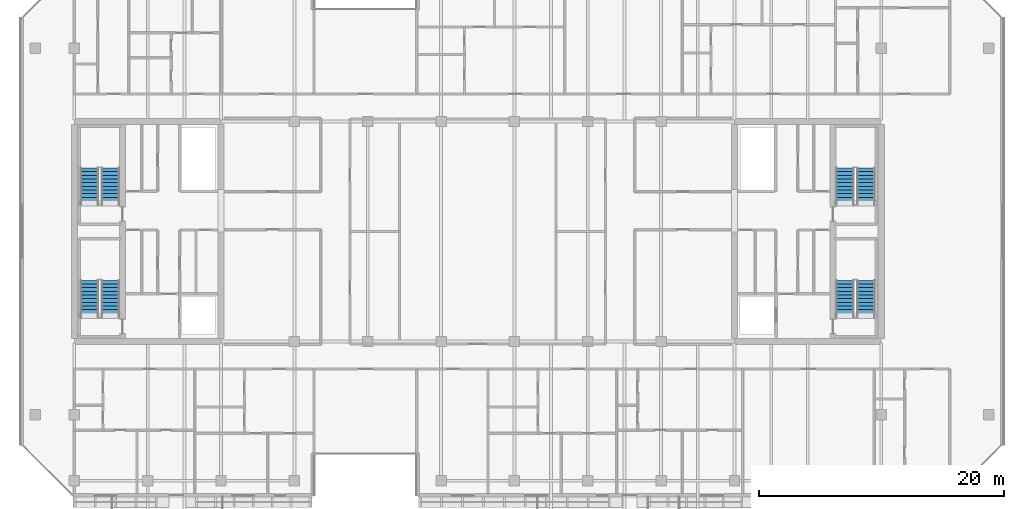
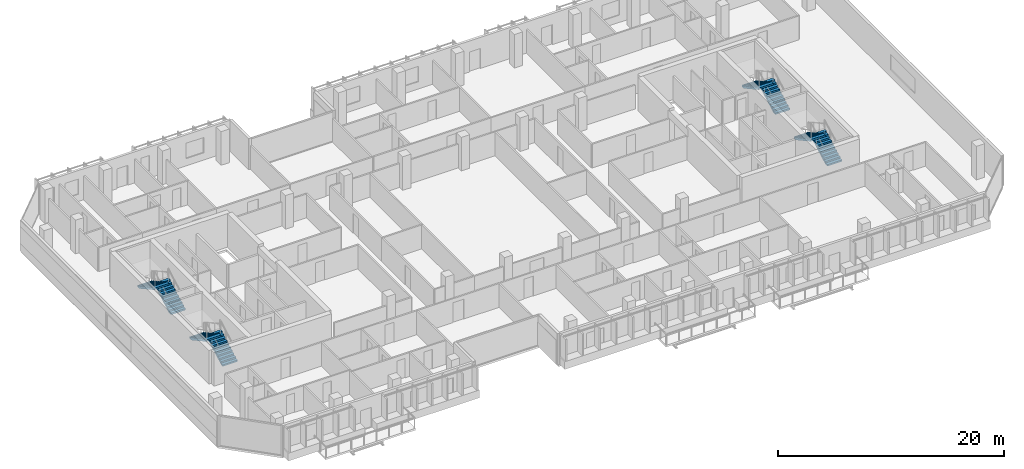
# One storey, part 26 of 31: 8 stair flights, 4 elements without a shape of their own.
"""IFC4 building model written with IfcOpenShell, lengths in metres."""

from ifc_helpers import new_model, si_unit, direction, frame, origin, place, context, subcontext, project, spatial, polyline, outline, extrude, material, type_object, element, aggregate, save


model = new_model("IFC4")

# Units and contexts
model_context = context("Model", 3, precision=1e-05, world=origin(), true_north=direction((0.0, 1.0)))
body_context = subcontext(model_context, "Body", "Model", "MODEL_VIEW")
ifc_project = project(units=[si_unit("LENGTHUNIT", "METRE"), si_unit("AREAUNIT", "SQUARE_METRE"), si_unit("VOLUMEUNIT", "CUBIC_METRE"), si_unit("PLANEANGLEUNIT", "RADIAN"), si_unit("MASSUNIT", "GRAM", prefix="KILO")], contexts=[model_context])

# Site, building, storey
site_placement = place(None, origin())
site = spatial("IfcSite", under=ifc_project, at=site_placement, CompositionType="ELEMENT")
building_placement = place(site_placement, origin())
building = spatial("IfcBuilding", under=site, at=building_placement, Name="Tanjung Sevakor Pilgrim Tower", CompositionType="ELEMENT")
storey_placement = place(building_placement, frame((0.0, 0.0, 169.2900390625)))
storey = spatial("IfcBuildingStorey", under=building, at=storey_placement, Name="L47", CompositionType="ELEMENT", Elevation=169.2900390625)

# Stair, stair flights
ifc_material_1 = material(Name="Concrete C40/50", Category="concrete")
stair_type = type_object("IfcStairType", Name="STAIR-ST-CR150", PredefinedType="HALF_TURN_STAIR", material=ifc_material_1)
stair_1_placement = place(storey_placement, origin())
stair_1 = element("IfcStair", 1, at=stair_1_placement, inside=storey, type_object=stair_type, Name="L47 West Core Exit Stair 1", PredefinedType="HALF_TURN_STAIR")
ifc_material_2 = material(Name="Concrete C40/50", Category="concrete")
stair_flight_type = type_object("IfcStairFlightType", Name="FLIGHT-ST-CR150", PredefinedType="STRAIGHT", material=ifc_material_2)
stair_flight_1_placement = place(storey_placement, frame((26.949951171875, 26.60009765625, 0.0), z_axis=(0.0, 0.0, 1.0), x_axis=(0.0, 1.0, 0.0)))
stair_flight_1 = element("IfcStairFlight", 2, at=stair_flight_1_placement, type_object=stair_flight_type, Name="TS-W1 flight 1", NumberOfRisers=11, NumberOfTreads=10, PredefinedType="STRAIGHT", RiserHeight=0.165, TreadLength=0.3, context=body_context, shape_type="SweptSolid", body=[
    extrude(outline(polyline([(0.0, 0.0), (0.0, 0.1650390625), (0.300048828125, 0.1650390625), (0.300048828125, 0.330078125), (0.60009765625, 0.330078125), (0.60009765625, 0.4951171875), (0.89990234375, 0.4951171875), (0.89990234375, 0.659912109375), (1.199951171875, 0.659912109375), (1.199951171875, 0.824951171875), (1.5, 0.824951171875), (1.5, 0.989990234375), (1.800048828125, 0.989990234375), (1.800048828125, 1.155029296875), (2.10009765625, 1.155029296875), (2.10009765625, 1.320068359375), (2.39990234375, 1.320068359375), (2.39990234375, 1.485107421875), (2.699951171875, 1.485107421875), (2.699951171875, 1.64990234375), (3.0, 1.64990234375), (3.0, 1.81494140625), (3.0, 1.467529296875), (0.331787109375, 0.0), (0.0, 0.0)])), frame((0.0, 0.75, 0.0), z_axis=(0.0, -1.0, 0.0), x_axis=(1.0, 0.0, 0.0)), (0.0, 0.0, 1.0), 1.5),
])
stair_flight_2_placement = place(storey_placement, frame((25.25, 29.60009765625, 1.81494140625), z_axis=(0.0, 0.0, 1.0), x_axis=(0.0, -1.0, 0.0)))
stair_flight_2 = element("IfcStairFlight", 3, at=stair_flight_2_placement, type_object=stair_flight_type, Name="TS-W1 flight 2", NumberOfRisers=11, NumberOfTreads=10, PredefinedType="STRAIGHT", RiserHeight=0.165, TreadLength=0.3, context=body_context, shape_type="SweptSolid", body=[
    extrude(outline(polyline([(0.0, 0.0), (0.0, 0.1650390625), (0.300048828125, 0.1650390625), (0.300048828125, 0.330078125), (0.60009765625, 0.330078125), (0.60009765625, 0.4951171875), (0.89990234375, 0.4951171875), (0.89990234375, 0.659912109375), (1.199951171875, 0.659912109375), (1.199951171875, 0.824951171875), (1.5, 0.824951171875), (1.5, 0.989990234375), (1.800048828125, 0.989990234375), (1.800048828125, 1.155029296875), (2.10009765625, 1.155029296875), (2.10009765625, 1.320068359375), (2.39990234375, 1.320068359375), (2.39990234375, 1.485107421875), (2.699951171875, 1.485107421875), (2.699951171875, 1.64990234375), (3.0, 1.64990234375), (3.0, 1.81494140625), (3.0, 1.467529296875), (0.331787109375, 0.0), (0.0, 0.0)])), frame((0.0, 0.75, 0.0), z_axis=(0.0, -1.0, 0.0), x_axis=(1.0, 0.0, 0.0)), (0.0, 0.0, 1.0), 1.5),
])
aggregate(stair_1, [stair_flight_1, stair_flight_2])

stair_2_placement = place(storey_placement, origin())
stair_2 = element("IfcStair", 4, at=stair_2_placement, inside=storey, type_object=stair_type, Name="L47 West Core Exit Stair 2", PredefinedType="HALF_TURN_STAIR")
stair_flight_3_placement = place(storey_placement, frame((26.949951171875, 35.800048828125, 0.0), z_axis=(0.0, 0.0, 1.0), x_axis=(0.0, 1.0, 0.0)))
stair_flight_3 = element("IfcStairFlight", 5, at=stair_flight_3_placement, type_object=stair_flight_type, Name="TS-W2 flight 1", NumberOfRisers=11, NumberOfTreads=10, PredefinedType="STRAIGHT", RiserHeight=0.165, TreadLength=0.3, context=body_context, shape_type="SweptSolid", body=[
    extrude(outline(polyline([(0.0, 0.0), (0.0, 0.1650390625), (0.300048828125, 0.1650390625), (0.300048828125, 0.330078125), (0.60009765625, 0.330078125), (0.60009765625, 0.4951171875), (0.89990234375, 0.4951171875), (0.89990234375, 0.659912109375), (1.199951171875, 0.659912109375), (1.199951171875, 0.824951171875), (1.5, 0.824951171875), (1.5, 0.989990234375), (1.800048828125, 0.989990234375), (1.800048828125, 1.155029296875), (2.10009765625, 1.155029296875), (2.10009765625, 1.320068359375), (2.39990234375, 1.320068359375), (2.39990234375, 1.485107421875), (2.699951171875, 1.485107421875), (2.699951171875, 1.64990234375), (3.0, 1.64990234375), (3.0, 1.81494140625), (3.0, 1.467529296875), (0.331787109375, 0.0), (0.0, 0.0)])), frame((0.0, 0.75, 0.0), z_axis=(0.0, -1.0, 0.0), x_axis=(1.0, 0.0, 0.0)), (0.0, 0.0, 1.0), 1.5),
])
stair_flight_4_placement = place(storey_placement, frame((25.25, 38.800048828125, 1.81494140625), z_axis=(0.0, 0.0, 1.0), x_axis=(0.0, -1.0, 0.0)))
stair_flight_4 = element("IfcStairFlight", 6, at=stair_flight_4_placement, type_object=stair_flight_type, Name="TS-W2 flight 2", NumberOfRisers=11, NumberOfTreads=10, PredefinedType="STRAIGHT", RiserHeight=0.165, TreadLength=0.3, context=body_context, shape_type="SweptSolid", body=[
    extrude(outline(polyline([(0.0, 0.0), (0.0, 0.1650390625), (0.300048828125, 0.1650390625), (0.300048828125, 0.330078125), (0.60009765625, 0.330078125), (0.60009765625, 0.4951171875), (0.89990234375, 0.4951171875), (0.89990234375, 0.659912109375), (1.199951171875, 0.659912109375), (1.199951171875, 0.824951171875), (1.5, 0.824951171875), (1.5, 0.989990234375), (1.800048828125, 0.989990234375), (1.800048828125, 1.155029296875), (2.10009765625, 1.155029296875), (2.10009765625, 1.320068359375), (2.39990234375, 1.320068359375), (2.39990234375, 1.485107421875), (2.699951171875, 1.485107421875), (2.699951171875, 1.64990234375), (3.0, 1.64990234375), (3.0, 1.81494140625), (3.0, 1.467529296875), (0.331787109375, 0.0), (0.0, 0.0)])), frame((0.0, 0.75, 0.0), z_axis=(0.0, -1.0, 0.0), x_axis=(1.0, 0.0, 0.0)), (0.0, 0.0, 1.0), 1.5),
])
aggregate(stair_2, [stair_flight_3, stair_flight_4])

stair_3_placement = place(storey_placement, origin())
stair_3 = element("IfcStair", 7, at=stair_3_placement, inside=storey, type_object=stair_type, Name="L47 East Core Exit Stair 1", PredefinedType="HALF_TURN_STAIR")
stair_flight_5_placement = place(storey_placement, frame((88.75, 26.60009765625, 0.0), z_axis=(0.0, 0.0, 1.0), x_axis=(0.0, 1.0, 0.0)))
stair_flight_5 = element("IfcStairFlight", 8, at=stair_flight_5_placement, type_object=stair_flight_type, Name="TS-E1 flight 1", NumberOfRisers=11, NumberOfTreads=10, PredefinedType="STRAIGHT", RiserHeight=0.165, TreadLength=0.3, context=body_context, shape_type="SweptSolid", body=[
    extrude(outline(polyline([(0.0, 0.0), (0.0, 0.1650390625), (0.300048828125, 0.1650390625), (0.300048828125, 0.330078125), (0.60009765625, 0.330078125), (0.60009765625, 0.4951171875), (0.89990234375, 0.4951171875), (0.89990234375, 0.659912109375), (1.199951171875, 0.659912109375), (1.199951171875, 0.824951171875), (1.5, 0.824951171875), (1.5, 0.989990234375), (1.800048828125, 0.989990234375), (1.800048828125, 1.155029296875), (2.10009765625, 1.155029296875), (2.10009765625, 1.320068359375), (2.39990234375, 1.320068359375), (2.39990234375, 1.485107421875), (2.699951171875, 1.485107421875), (2.699951171875, 1.64990234375), (3.0, 1.64990234375), (3.0, 1.81494140625), (3.0, 1.467529296875), (0.331787109375, 0.0), (0.0, 0.0)])), frame((0.0, 0.75, 0.0), z_axis=(0.0, -1.0, 0.0), x_axis=(1.0, 0.0, 0.0)), (0.0, 0.0, 1.0), 1.5),
])
stair_flight_6_placement = place(storey_placement, frame((87.050048828125, 29.60009765625, 1.81494140625), z_axis=(0.0, 0.0, 1.0), x_axis=(0.0, -1.0, 0.0)))
stair_flight_6 = element("IfcStairFlight", 9, at=stair_flight_6_placement, type_object=stair_flight_type, Name="TS-E1 flight 2", NumberOfRisers=11, NumberOfTreads=10, PredefinedType="STRAIGHT", RiserHeight=0.165, TreadLength=0.3, context=body_context, shape_type="SweptSolid", body=[
    extrude(outline(polyline([(0.0, 0.0), (0.0, 0.1650390625), (0.300048828125, 0.1650390625), (0.300048828125, 0.330078125), (0.60009765625, 0.330078125), (0.60009765625, 0.4951171875), (0.89990234375, 0.4951171875), (0.89990234375, 0.659912109375), (1.199951171875, 0.659912109375), (1.199951171875, 0.824951171875), (1.5, 0.824951171875), (1.5, 0.989990234375), (1.800048828125, 0.989990234375), (1.800048828125, 1.155029296875), (2.10009765625, 1.155029296875), (2.10009765625, 1.320068359375), (2.39990234375, 1.320068359375), (2.39990234375, 1.485107421875), (2.699951171875, 1.485107421875), (2.699951171875, 1.64990234375), (3.0, 1.64990234375), (3.0, 1.81494140625), (3.0, 1.467529296875), (0.331787109375, 0.0), (0.0, 0.0)])), frame((0.0, 0.75, 0.0), z_axis=(0.0, -1.0, 0.0), x_axis=(1.0, 0.0, 0.0)), (0.0, 0.0, 1.0), 1.5),
])
aggregate(stair_3, [stair_flight_5, stair_flight_6])

stair_4_placement = place(storey_placement, origin())
stair_4 = element("IfcStair", 10, at=stair_4_placement, inside=storey, type_object=stair_type, Name="L47 East Core Exit Stair 2", PredefinedType="HALF_TURN_STAIR")
stair_flight_7_placement = place(storey_placement, frame((88.75, 35.800048828125, 0.0), z_axis=(0.0, 0.0, 1.0), x_axis=(0.0, 1.0, 0.0)))
stair_flight_7 = element("IfcStairFlight", 11, at=stair_flight_7_placement, type_object=stair_flight_type, Name="TS-E2 flight 1", NumberOfRisers=11, NumberOfTreads=10, PredefinedType="STRAIGHT", RiserHeight=0.165, TreadLength=0.3, context=body_context, shape_type="SweptSolid", body=[
    extrude(outline(polyline([(0.0, 0.0), (0.0, 0.1650390625), (0.300048828125, 0.1650390625), (0.300048828125, 0.330078125), (0.60009765625, 0.330078125), (0.60009765625, 0.4951171875), (0.89990234375, 0.4951171875), (0.89990234375, 0.659912109375), (1.199951171875, 0.659912109375), (1.199951171875, 0.824951171875), (1.5, 0.824951171875), (1.5, 0.989990234375), (1.800048828125, 0.989990234375), (1.800048828125, 1.155029296875), (2.10009765625, 1.155029296875), (2.10009765625, 1.320068359375), (2.39990234375, 1.320068359375), (2.39990234375, 1.485107421875), (2.699951171875, 1.485107421875), (2.699951171875, 1.64990234375), (3.0, 1.64990234375), (3.0, 1.81494140625), (3.0, 1.467529296875), (0.331787109375, 0.0), (0.0, 0.0)])), frame((0.0, 0.75, 0.0), z_axis=(0.0, -1.0, 0.0), x_axis=(1.0, 0.0, 0.0)), (0.0, 0.0, 1.0), 1.5),
])
stair_flight_8_placement = place(storey_placement, frame((87.050048828125, 38.800048828125, 1.81494140625), z_axis=(0.0, 0.0, 1.0), x_axis=(0.0, -1.0, 0.0)))
stair_flight_8 = element("IfcStairFlight", 12, at=stair_flight_8_placement, type_object=stair_flight_type, Name="TS-E2 flight 2", NumberOfRisers=11, NumberOfTreads=10, PredefinedType="STRAIGHT", RiserHeight=0.165, TreadLength=0.3, context=body_context, shape_type="SweptSolid", body=[
    extrude(outline(polyline([(0.0, 0.0), (0.0, 0.1650390625), (0.300048828125, 0.1650390625), (0.300048828125, 0.330078125), (0.60009765625, 0.330078125), (0.60009765625, 0.4951171875), (0.89990234375, 0.4951171875), (0.89990234375, 0.659912109375), (1.199951171875, 0.659912109375), (1.199951171875, 0.824951171875), (1.5, 0.824951171875), (1.5, 0.989990234375), (1.800048828125, 0.989990234375), (1.800048828125, 1.155029296875), (2.10009765625, 1.155029296875), (2.10009765625, 1.320068359375), (2.39990234375, 1.320068359375), (2.39990234375, 1.485107421875), (2.699951171875, 1.485107421875), (2.699951171875, 1.64990234375), (3.0, 1.64990234375), (3.0, 1.81494140625), (3.0, 1.467529296875), (0.331787109375, 0.0), (0.0, 0.0)])), frame((0.0, 0.75, 0.0), z_axis=(0.0, -1.0, 0.0), x_axis=(1.0, 0.0, 0.0)), (0.0, 0.0, 1.0), 1.5),
])
aggregate(stair_4, [stair_flight_7, stair_flight_8])

save(model, "model.ifc")
